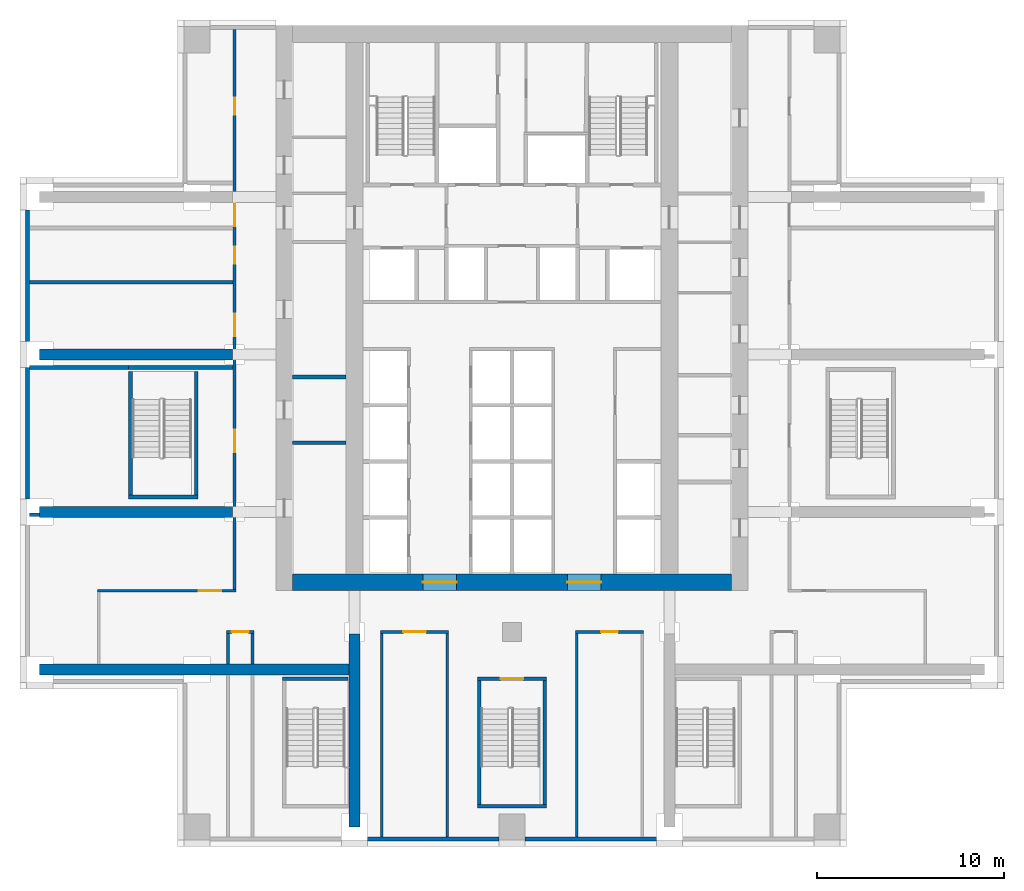
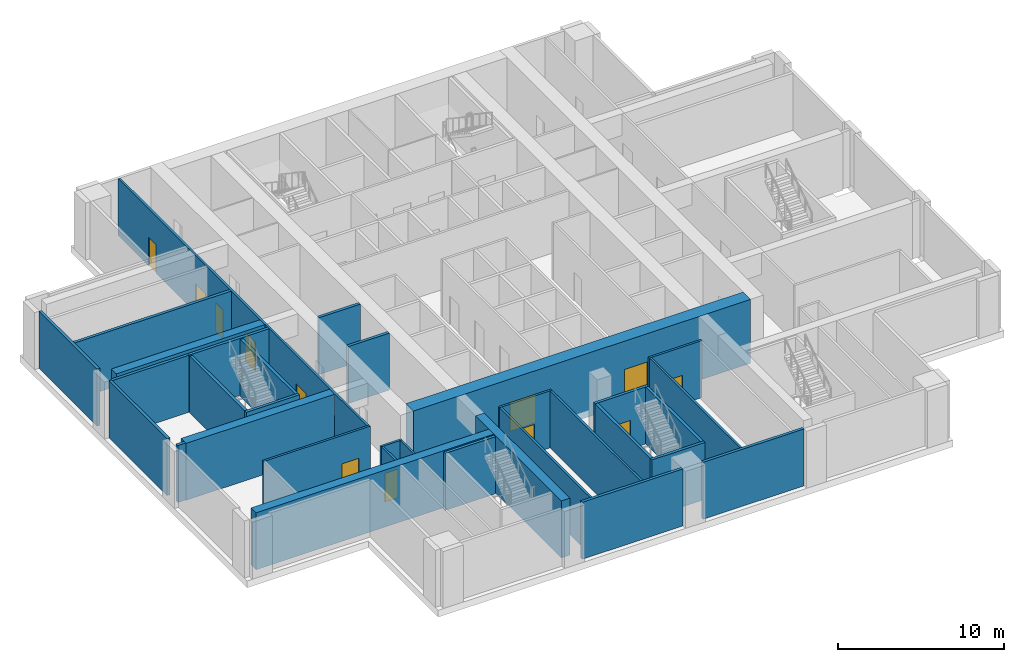
# One storey, part 2 of 11: 33 walls, 12 doors, 12 openings.
"""IFC4 building model written with IfcOpenShell, lengths in metres."""

from ifc_helpers import new_model, si_unit, direction, frame, frame_2d, origin, place, context, subcontext, project, spatial, rectangle, extrude, material, layer, layer_set, type_object, element, fill, save


model = new_model("IFC4")

# Units and contexts
model_context = context("Model", 3, precision=1e-05, world=origin(), true_north=direction((0.0, 1.0)))
body_context = subcontext(model_context, "Body", "Model", "MODEL_VIEW")
ifc_project = project(units=[si_unit("LENGTHUNIT", "METRE"), si_unit("AREAUNIT", "SQUARE_METRE"), si_unit("VOLUMEUNIT", "CUBIC_METRE"), si_unit("PLANEANGLEUNIT", "RADIAN"), si_unit("MASSUNIT", "GRAM", prefix="KILO")], contexts=[model_context])

# Site, building, storey
site_placement = place(None, origin())
site = spatial("IfcSite", under=ifc_project, at=site_placement, CompositionType="ELEMENT")
building_placement = place(site_placement, origin())
building = spatial("IfcBuilding", under=site, at=building_placement, Name="Vermilion Ogive Tower", CompositionType="ELEMENT")
storey_placement = place(building_placement, frame((0.0, 0.0, 75.89990234375)))
storey = spatial("IfcBuildingStorey", under=building, at=storey_placement, Name="L18", CompositionType="ELEMENT", Elevation=75.89990234375)

# Wall, openings, doors
ifc_material_1 = material(Name="Concrete B80", Category="concrete")
ifc_layer_1 = layer(ifc_material_1, 0.89990234375)
ifc_layer_set_1 = layer_set([ifc_layer_1], Name="Core wall 900 B80")
wall_type_1 = type_object("IfcWallType", Name="Core wall 900 B80", PredefinedType="SHEAR", material=ifc_layer_set_1)
wall_1_placement = place(storey_placement, frame((-11.699951171875, -7.949951171875, -0.5), z_axis=(0.0, 0.0, 1.0), x_axis=(1.0, 0.0, 0.0)))
wall_1 = element("IfcWall", 1, at=wall_1_placement, inside=storey, type_object=wall_type_1, Name="L18-CORE-S", PredefinedType="SHEAR", context=body_context, shape_type="SweptSolid", body=[
    extrude(rectangle(XDim=23.39990234375, YDim=0.89990234375, at=frame_2d((11.699951171875, 0.0))), origin(), (0.0, 0.0, 1.0), 4.68017578125),
])
opening_1_placement = place(wall_1_placement, frame((6.949951171875, 0.0, 0.5)))
opening_1 = element("IfcOpeningElement", 2, at=opening_1_placement, cuts=wall_1, Name="Opening DBE001", PredefinedType="OPENING", context=body_context, shape_type="SweptSolid", body=[
    extrude(rectangle(XDim=1.800048828125, YDim=2.10009765625, at=frame_2d((0.89990234375, 1.050048828125))), frame((0.0, 0.4599609375, 0.0), z_axis=(0.0, -1.0, 0.0), x_axis=(1.0, 0.0, 0.0)), (0.0, 0.0, 1.0), 0.919921875),
])
opening_2_placement = place(wall_1_placement, frame((14.64990234375, 0.0, 0.5)))
opening_2 = element("IfcOpeningElement", 3, at=opening_2_placement, cuts=wall_1, Name="Opening DBE002", PredefinedType="OPENING", context=body_context, shape_type="SweptSolid", body=[
    extrude(rectangle(XDim=1.800048828125, YDim=2.10009765625, at=frame_2d((0.89990234375, 1.050048828125))), frame((0.0, 0.4599609375, 0.0), z_axis=(0.0, -1.0, 0.0), x_axis=(1.0, 0.0, 0.0)), (0.0, 0.0, 1.0), 0.919921875),
])
ifc_material_2 = material(Name="Timber door leaf", Category="wood")
door_type_1 = type_object("IfcDoorType", Name="Core entry door 1800 x 2100 FD60S", OperationType="DOUBLE_DOOR_SINGLE_SWING", PredefinedType="DOOR", material=ifc_material_2)
door_1_placement = place(opening_1_placement, origin())
door_1 = element("IfcDoor", 4, at=door_1_placement, inside=storey, type_object=door_type_1, Name="L18-CK-XD1", OperationType="SINGLE_SWING_LEFT", OverallHeight=2.10009765625, OverallWidth=1.800048828125, PredefinedType="DOOR", context=body_context, shape_type="SweptSolid", body=[
    extrude(rectangle(XDim=1.800048828125, YDim=2.10009765625, at=frame_2d((0.89990234375, 1.050048828125))), frame((0.0, 0.02490234375, 0.0), z_axis=(0.0, -1.0, 0.0), x_axis=(1.0, 0.0, 0.0)), (0.0, 0.0, 1.0), 0.050048828125),
])
fill(opening_1, door_1)
door_2_placement = place(opening_2_placement, origin())
door_2 = element("IfcDoor", 5, at=door_2_placement, inside=storey, type_object=door_type_1, Name="L18-CK-XD2", OperationType="SINGLE_SWING_LEFT", OverallHeight=2.10009765625, OverallWidth=1.800048828125, PredefinedType="DOOR", context=body_context, shape_type="SweptSolid", body=[
    extrude(rectangle(XDim=1.800048828125, YDim=2.10009765625, at=frame_2d((0.89990234375, 1.050048828125))), frame((0.0, 0.02490234375, 0.0), z_axis=(0.0, -1.0, 0.0), x_axis=(1.0, 0.0, 0.0)), (0.0, 0.0, 1.0), 0.050048828125),
])
fill(opening_2, door_2)

# Walls
ifc_material_3 = material(Name="Concrete B60", Category="concrete")
ifc_layer_2 = layer(ifc_material_3, 0.60009765625)
ifc_layer_set_2 = layer_set([ifc_layer_2], Name="Outrigger wall 600 B60")
wall_type_2 = type_object("IfcWallType", Name="Outrigger wall 600 B60", PredefinedType="SHEAR", material=ifc_layer_set_2)
wall_2_placement = place(storey_placement, frame((-8.550048828125, -12.60009765625, 0.0), z_axis=(0.0, 0.0, 1.0), x_axis=(-1.0, 0.0, 0.0)))
element("IfcWall", 6, at=wall_2_placement, inside=storey, type_object=wall_type_2, Name="L18-OW-EWW-12.6", PredefinedType="SHEAR", context=body_context, shape_type="SweptSolid", body=[
    extrude(rectangle(XDim=16.64990234375, YDim=0.60009765625, at=frame_2d((8.324951171875, 0.0))), origin(), (0.0, 0.0, 1.0), 4.18017578125),
])
for number, where, z_axis, x_axis, name in (
    (7, (-14.89990234375, -4.199951171875, 0.0), (0.0, 0.0, 1.0), (-1.0, 0.0, 0.0), "L18-OW-EWW-4.2"),
    (8, (-14.89990234375, 4.199951171875, 0.0), (0.0, 0.0, 1.0), (-1.0, 0.0, 0.0), "L18-OW-EWW+4.2"),
):
    element("IfcWall", number, at=place(storey_placement, frame(where, z_axis=z_axis, x_axis=x_axis)), inside=storey, type_object=wall_type_2, Name=name, PredefinedType="SHEAR", context=body_context, shape_type="SweptSolid", body=[
        extrude(rectangle(XDim=10.300048828125, YDim=0.60009765625, at=frame_2d((5.14990234375, 0.0))), origin(), (0.0, 0.0, 1.0), 4.18017578125),
    ])

# Wall, opening, door
ifc_material_4 = material(Name="Gypsum board partition on steel studs", Category="steel")
ifc_layer_3 = layer(ifc_material_4, 0.14990234375)
ifc_layer_set_3 = layer_set([ifc_layer_3], Name="Partition 150 corridor")
wall_type_3 = type_object("IfcWallType", Name="Partition 150 corridor", PredefinedType="PARTITIONING", material=ifc_layer_set_3)
wall_3_placement = place(storey_placement, frame((-15.22509765625, -10.60009765625, 0.0), z_axis=(0.0, 0.0, 1.0), x_axis=(1.0, 0.0, 0.0)))
wall_3 = element("IfcWall", 9, at=wall_3_placement, inside=storey, type_object=wall_type_3, Name="L18-FS-W-W001", PredefinedType="PARTITIONING", context=body_context, shape_type="SweptSolid", body=[
    extrude(rectangle(XDim=1.4501953125, YDim=0.14990234375, at=frame_2d((0.72509765625, 0.0))), origin(), (0.0, 0.0, 1.0), 4.18017578125),
])
opening_3_placement = place(wall_3_placement, frame((0.275146484375, 0.0, 0.0)))
opening_3 = element("IfcOpeningElement", 10, at=opening_3_placement, cuts=wall_3, Name="Opening L18S012", PredefinedType="OPENING", context=body_context, shape_type="SweptSolid", body=[
    extrude(rectangle(XDim=0.89990234375, YDim=2.10009765625, at=frame_2d((0.449951171875, 1.050048828125))), frame((0.0, 0.0849609375, 0.0), z_axis=(0.0, -1.0, 0.0), x_axis=(1.0, 0.0, 0.0)), (0.0, 0.0, 1.0), 0.169921875),
])
ifc_material_5 = material(Name="Timber door leaf", Category="wood")
door_type_2 = type_object("IfcDoorType", Name="Room door 900 x 2100 FD30", OperationType="SINGLE_SWING_LEFT", PredefinedType="DOOR", material=ifc_material_5)
door_3_placement = place(opening_3_placement, origin())
door_3 = element("IfcDoor", 11, at=door_3_placement, inside=storey, type_object=door_type_2, Name="L18-FS-D-D012", OperationType="SINGLE_SWING_RIGHT", OverallHeight=2.10009765625, OverallWidth=0.89990234375, PredefinedType="DOOR", context=body_context, shape_type="SweptSolid", body=[
    extrude(rectangle(XDim=0.89990234375, YDim=2.10009765625, at=frame_2d((0.449951171875, 1.050048828125))), frame((0.0, 0.02490234375, 0.0), z_axis=(0.0, -1.0, 0.0), x_axis=(1.0, 0.0, 0.0)), (0.0, 0.0, 1.0), 0.050048828125),
])
fill(opening_3, door_3)

wall_4_placement = place(storey_placement, frame((-7.02490234375, -10.60009765625, 0.0), z_axis=(0.0, 0.0, 1.0), x_axis=(1.0, 0.0, 0.0)))
wall_4 = element("IfcWall", 12, at=wall_4_placement, inside=storey, type_object=wall_type_3, Name="L18-FS-W-W002", PredefinedType="PARTITIONING", context=body_context, shape_type="SweptSolid", body=[
    extrude(rectangle(XDim=3.64990234375, YDim=0.14990234375, at=frame_2d((1.824951171875, 0.0))), origin(), (0.0, 0.0, 1.0), 4.18017578125),
])
opening_4_placement = place(wall_4_placement, frame((1.224853515625, 0.0, 0.0)))
opening_4 = element("IfcOpeningElement", 13, at=opening_4_placement, cuts=wall_4, Name="Opening L18S010", PredefinedType="OPENING", context=body_context, shape_type="SweptSolid", body=[
    extrude(rectangle(XDim=1.199951171875, YDim=2.10009765625, at=frame_2d((0.60009765625, 1.050048828125))), frame((0.0, 0.0849609375, 0.0), z_axis=(0.0, -1.0, 0.0), x_axis=(1.0, 0.0, 0.0)), (0.0, 0.0, 1.0), 0.169921875),
])
ifc_material_6 = material(Name="Timber door leaf", Category="wood")
door_type_3 = type_object("IfcDoorType", Name="Room door 1200 x 2100 FD30", OperationType="SINGLE_SWING_LEFT", PredefinedType="DOOR", material=ifc_material_6)
door_4_placement = place(opening_4_placement, origin())
door_4 = element("IfcDoor", 14, at=door_4_placement, inside=storey, type_object=door_type_3, Name="L18-FS-D-D010", OperationType="SINGLE_SWING_LEFT", OverallHeight=2.10009765625, OverallWidth=1.199951171875, PredefinedType="DOOR", context=body_context, shape_type="SweptSolid", body=[
    extrude(rectangle(XDim=1.199951171875, YDim=2.10009765625, at=frame_2d((0.60009765625, 1.050048828125))), frame((0.0, 0.02490234375, 0.0), z_axis=(0.0, -1.0, 0.0), x_axis=(1.0, 0.0, 0.0)), (0.0, 0.0, 1.0), 0.050048828125),
])
fill(opening_4, door_4)

wall_5_placement = place(storey_placement, frame((3.375, -10.60009765625, 0.0), z_axis=(0.0, 0.0, 1.0), x_axis=(1.0, 0.0, 0.0)))
wall_5 = element("IfcWall", 15, at=wall_5_placement, inside=storey, type_object=wall_type_3, Name="L18-FS-W-W003", PredefinedType="PARTITIONING", context=body_context, shape_type="SweptSolid", body=[
    extrude(rectangle(XDim=3.64990234375, YDim=0.14990234375, at=frame_2d((1.824951171875, 0.0))), origin(), (0.0, 0.0, 1.0), 4.18017578125),
])
opening_5_placement = place(wall_5_placement, frame((1.375, 0.0, 0.0)))
opening_5 = element("IfcOpeningElement", 16, at=opening_5_placement, cuts=wall_5, Name="Opening L18S013", PredefinedType="OPENING", context=body_context, shape_type="SweptSolid", body=[
    extrude(rectangle(XDim=0.89990234375, YDim=2.10009765625, at=frame_2d((0.449951171875, 1.050048828125))), frame((0.0, 0.0849609375, 0.0), z_axis=(0.0, -1.0, 0.0), x_axis=(1.0, 0.0, 0.0)), (0.0, 0.0, 1.0), 0.169921875),
])
door_5_placement = place(opening_5_placement, origin())
door_5 = element("IfcDoor", 17, at=door_5_placement, inside=storey, type_object=door_type_2, Name="L18-FS-D-D013", OperationType="SINGLE_SWING_RIGHT", OverallHeight=2.10009765625, OverallWidth=0.89990234375, PredefinedType="DOOR", context=body_context, shape_type="SweptSolid", body=[
    extrude(rectangle(XDim=0.89990234375, YDim=2.10009765625, at=frame_2d((0.449951171875, 1.050048828125))), frame((0.0, 0.02490234375, 0.0), z_axis=(0.0, -1.0, 0.0), x_axis=(1.0, 0.0, 0.0)), (0.0, 0.0, 1.0), 0.050048828125),
])
fill(opening_5, door_5)

wall_6_placement = place(storey_placement, frame((-22.125, -8.39990234375, 0.0), z_axis=(0.0, 0.0, 1.0), x_axis=(1.0, 0.0, 0.0)))
wall_6 = element("IfcWall", 18, at=wall_6_placement, inside=storey, type_object=wall_type_3, Name="L18-FS-W-W005", PredefinedType="PARTITIONING", context=body_context, shape_type="SweptSolid", body=[
    extrude(rectangle(XDim=7.39990234375, YDim=0.14990234375, at=frame_2d((3.699951171875, 0.0))), origin(), (0.0, 0.0, 1.0), 4.18017578125),
])
opening_6_placement = place(wall_6_placement, frame((5.425048828125, 0.0, 0.0)))
opening_6 = element("IfcOpeningElement", 19, at=opening_6_placement, cuts=wall_6, Name="Opening L18S001", PredefinedType="OPENING", context=body_context, shape_type="SweptSolid", body=[
    extrude(rectangle(XDim=1.199951171875, YDim=2.10009765625, at=frame_2d((0.60009765625, 1.050048828125))), frame((0.0, 0.0849609375, 0.0), z_axis=(0.0, -1.0, 0.0), x_axis=(1.0, 0.0, 0.0)), (0.0, 0.0, 1.0), 0.169921875),
])
ifc_material_7 = material(Name="Timber door leaf", Category="wood")
door_type_4 = type_object("IfcDoorType", Name="Fire door 1200 x 2100 FD30", OperationType="SINGLE_SWING_LEFT", PredefinedType="DOOR", material=ifc_material_7)
door_6_placement = place(opening_6_placement, origin())
door_6 = element("IfcDoor", 20, at=door_6_placement, inside=storey, type_object=door_type_4, Name="L18-FS-D-D001", OperationType="SINGLE_SWING_LEFT", OverallHeight=2.10009765625, OverallWidth=1.199951171875, PredefinedType="DOOR", context=body_context, shape_type="SweptSolid", body=[
    extrude(rectangle(XDim=1.199951171875, YDim=2.10009765625, at=frame_2d((0.60009765625, 1.050048828125))), frame((0.0, 0.02490234375, 0.0), z_axis=(0.0, -1.0, 0.0), x_axis=(1.0, 0.0, 0.0)), (0.0, 0.0, 1.0), 0.050048828125),
])
fill(opening_6, door_6)

# Wall
wall_7_placement = place(storey_placement, frame((-15.14990234375, -12.299072265625, 0.0), z_axis=(0.0, 0.0, 1.0), x_axis=(0.0, 1.0, 0.0)))
element("IfcWall", 21, at=wall_7_placement, inside=storey, type_object=wall_type_3, Name="L18-FS-W-W017b", PredefinedType="PARTITIONING", context=body_context, shape_type="SweptSolid", body=[
    extrude(rectangle(XDim=1.6240234375, YDim=0.14990234375, at=frame_2d((0.81201171875, 0.0))), origin(), (0.0, 0.0, 1.0), 4.18017578125),
])

# Wall, openings, doors
wall_8_placement = place(storey_placement, frame((-14.800048828125, -8.324951171875, 0.0), z_axis=(0.0, 0.0, 1.0), x_axis=(0.0, 1.0, 0.0)))
wall_8 = element("IfcWall", 22, at=wall_8_placement, inside=storey, type_object=wall_type_3, Name="L18-FS-W-W018", PredefinedType="PARTITIONING", context=body_context, shape_type="SweptSolid", body=[
    extrude(rectangle(XDim=29.875, YDim=0.14990234375, at=frame_2d((14.9375, 0.0))), origin(), (0.0, 0.0, 1.0), 4.18017578125),
])
opening_7_placement = place(wall_8_placement, frame((7.303466796875, 0.0, 0.0)))
opening_7 = element("IfcOpeningElement", 23, at=opening_7_placement, cuts=wall_8, Name="Opening L18S003", PredefinedType="OPENING", context=body_context, shape_type="SweptSolid", body=[
    extrude(rectangle(XDim=1.199951171875, YDim=2.10009765625, at=frame_2d((0.60009765625, 1.050048828125))), frame((0.0, 0.0849609375, 0.0), z_axis=(0.0, -1.0, 0.0), x_axis=(1.0, 0.0, 0.0)), (0.0, 0.0, 1.0), 0.169921875),
])
opening_8_placement = place(wall_8_placement, frame((13.505859375, 0.0, 0.0)))
opening_8 = element("IfcOpeningElement", 24, at=opening_8_placement, cuts=wall_8, Name="Opening L18S004", PredefinedType="OPENING", context=body_context, shape_type="SweptSolid", body=[
    extrude(rectangle(XDim=1.199951171875, YDim=2.10009765625, at=frame_2d((0.60009765625, 1.050048828125))), frame((0.0, 0.0849609375, 0.0), z_axis=(0.0, -1.0, 0.0), x_axis=(1.0, 0.0, 0.0)), (0.0, 0.0, 1.0), 0.169921875),
])
opening_9_placement = place(wall_8_placement, frame((17.37744140625, 0.0, 0.0)))
opening_9 = element("IfcOpeningElement", 25, at=opening_9_placement, cuts=wall_8, Name="Opening L18S005", PredefinedType="OPENING", context=body_context, shape_type="SweptSolid", body=[
    extrude(rectangle(XDim=0.89990234375, YDim=2.10009765625, at=frame_2d((0.449951171875, 1.050048828125))), frame((0.0, 0.0849609375, 0.0), z_axis=(0.0, -1.0, 0.0), x_axis=(1.0, 0.0, 0.0)), (0.0, 0.0, 1.0), 0.169921875),
])
opening_10_placement = place(wall_8_placement, frame((19.375, 0.0, 0.0)))
opening_10 = element("IfcOpeningElement", 26, at=opening_10_placement, cuts=wall_8, Name="Opening L18S006", PredefinedType="OPENING", context=body_context, shape_type="SweptSolid", body=[
    extrude(rectangle(XDim=1.199951171875, YDim=2.10009765625, at=frame_2d((0.60009765625, 1.050048828125))), frame((0.0, 0.0849609375, 0.0), z_axis=(0.0, -1.0, 0.0), x_axis=(1.0, 0.0, 0.0)), (0.0, 0.0, 1.0), 0.169921875),
])
opening_11_placement = place(wall_8_placement, frame((25.324951171875, 0.0, 0.0)))
opening_11 = element("IfcOpeningElement", 27, at=opening_11_placement, cuts=wall_8, Name="Opening L18S011", PredefinedType="OPENING", context=body_context, shape_type="SweptSolid", body=[
    extrude(rectangle(XDim=0.89990234375, YDim=2.10009765625, at=frame_2d((0.449951171875, 1.050048828125))), frame((0.0, 0.0849609375, 0.0), z_axis=(0.0, -1.0, 0.0), x_axis=(1.0, 0.0, 0.0)), (0.0, 0.0, 1.0), 0.169921875),
])
door_7_placement = place(opening_7_placement, origin())
door_7 = element("IfcDoor", 28, at=door_7_placement, inside=storey, type_object=door_type_3, Name="L18-FS-D-D003", OperationType="SINGLE_SWING_RIGHT", OverallHeight=2.10009765625, OverallWidth=1.199951171875, PredefinedType="DOOR", context=body_context, shape_type="SweptSolid", body=[
    extrude(rectangle(XDim=1.199951171875, YDim=2.10009765625, at=frame_2d((0.60009765625, 1.050048828125))), frame((0.0, 0.02490234375, 0.0), z_axis=(0.0, -1.0, 0.0), x_axis=(1.0, 0.0, 0.0)), (0.0, 0.0, 1.0), 0.050048828125),
])
fill(opening_7, door_7)
door_8_placement = place(opening_8_placement, origin())
door_8 = element("IfcDoor", 29, at=door_8_placement, inside=storey, type_object=door_type_3, Name="L18-FS-D-D004", OperationType="SINGLE_SWING_LEFT", OverallHeight=2.10009765625, OverallWidth=1.199951171875, PredefinedType="DOOR", context=body_context, shape_type="SweptSolid", body=[
    extrude(rectangle(XDim=1.199951171875, YDim=2.10009765625, at=frame_2d((0.60009765625, 1.050048828125))), frame((0.0, 0.02490234375, 0.0), z_axis=(0.0, -1.0, 0.0), x_axis=(1.0, 0.0, 0.0)), (0.0, 0.0, 1.0), 0.050048828125),
])
fill(opening_8, door_8)
door_9_placement = place(opening_10_placement, origin())
door_9 = element("IfcDoor", 30, at=door_9_placement, inside=storey, type_object=door_type_3, Name="L18-FS-D-D006", OperationType="SINGLE_SWING_LEFT", OverallHeight=2.10009765625, OverallWidth=1.199951171875, PredefinedType="DOOR", context=body_context, shape_type="SweptSolid", body=[
    extrude(rectangle(XDim=1.199951171875, YDim=2.10009765625, at=frame_2d((0.60009765625, 1.050048828125))), frame((0.0, 0.02490234375, 0.0), z_axis=(0.0, -1.0, 0.0), x_axis=(1.0, 0.0, 0.0)), (0.0, 0.0, 1.0), 0.050048828125),
])
fill(opening_10, door_9)
door_10_placement = place(opening_9_placement, origin())
door_10 = element("IfcDoor", 31, at=door_10_placement, inside=storey, type_object=door_type_2, Name="L18-FS-D-D005", OperationType="SINGLE_SWING_RIGHT", OverallHeight=2.10009765625, OverallWidth=0.89990234375, PredefinedType="DOOR", context=body_context, shape_type="SweptSolid", body=[
    extrude(rectangle(XDim=0.89990234375, YDim=2.10009765625, at=frame_2d((0.449951171875, 1.050048828125))), frame((0.0, 0.02490234375, 0.0), z_axis=(0.0, -1.0, 0.0), x_axis=(1.0, 0.0, 0.0)), (0.0, 0.0, 1.0), 0.050048828125),
])
fill(opening_9, door_10)
door_11_placement = place(opening_11_placement, origin())
door_11 = element("IfcDoor", 32, at=door_11_placement, inside=storey, type_object=door_type_2, Name="L18-FS-D-D011", OperationType="SINGLE_SWING_LEFT", OverallHeight=2.10009765625, OverallWidth=0.89990234375, PredefinedType="DOOR", context=body_context, shape_type="SweptSolid", body=[
    extrude(rectangle(XDim=0.89990234375, YDim=2.10009765625, at=frame_2d((0.449951171875, 1.050048828125))), frame((0.0, 0.02490234375, 0.0), z_axis=(0.0, -1.0, 0.0), x_axis=(1.0, 0.0, 0.0)), (0.0, 0.0, 1.0), 0.050048828125),
])
fill(opening_11, door_11)

# Walls
wall_9_placement = place(storey_placement, frame((-13.85009765625, -12.299072265625, 0.0), z_axis=(0.0, 0.0, 1.0), x_axis=(0.0, 1.0, 0.0)))
element("IfcWall", 33, at=wall_9_placement, inside=storey, type_object=wall_type_3, Name="L18-FS-W-W019b", PredefinedType="PARTITIONING", context=body_context, shape_type="SweptSolid", body=[
    extrude(rectangle(XDim=1.6240234375, YDim=0.14990234375, at=frame_2d((0.81201171875, 0.0))), origin(), (0.0, 0.0, 1.0), 4.18017578125),
])
for number, where, z_axis, x_axis, name in (
    (34, (-6.949951171875, -21.550048828125, 0.0), (0.0, 0.0, 1.0), (0.0, 1.0, 0.0), "L18-FS-W-W020"),
    (35, (-3.449951171875, -21.550048828125, 0.0), (0.0, 0.0, 1.0), (0.0, 1.0, 0.0), "L18-FS-W-W021"),
    (36, (3.449951171875, -21.550048828125, 0.0), (0.0, 0.0, 1.0), (0.0, 1.0, 0.0), "L18-FS-W-W022"),
):
    element("IfcWall", number, at=place(storey_placement, frame(where, z_axis=z_axis, x_axis=x_axis)), inside=storey, type_object=wall_type_3, Name=name, PredefinedType="PARTITIONING", context=body_context, shape_type="SweptSolid", body=[
        extrude(rectangle(XDim=10.875, YDim=0.14990234375, at=frame_2d((5.4375, 0.0))), origin(), (0.0, 0.0, 1.0), 4.18017578125),
    ])
ifc_material_8 = material(Name="Gypsum board partition on steel studs", Category="steel")
ifc_layer_4 = layer(ifc_material_8, 0.199951171875)
ifc_layer_set_4 = layer_set([ifc_layer_4], Name="Partition 200 party")
wall_type_4 = type_object("IfcWallType", Name="Partition 200 party", PredefinedType="PARTITIONING", material=ifc_layer_set_4)
wall_10_placement = place(storey_placement, frame((-25.75, -4.35009765625, 0.0), z_axis=(0.0, 0.0, 1.0), x_axis=(1.0, 0.0, 0.0)))
element("IfcWall", 37, at=wall_10_placement, inside=storey, type_object=wall_type_4, Name="L18-FS-W-W007", PredefinedType="PARTITIONING", context=body_context, shape_type="SweptSolid", body=[
    extrude(rectangle(XDim=0.549072265625, YDim=0.199951171875, at=frame_2d((0.2744140625, 0.0))), origin(), (0.0, 0.0, 1.0), 4.18017578125),
])
wall_11_placement = place(storey_placement, frame((-25.75, 8.054931640625, 0.0), z_axis=(0.0, 0.0, 1.0), x_axis=(1.0, 0.0, 0.0)))
element("IfcWall", 38, at=wall_11_placement, inside=storey, type_object=wall_type_4, Name="L18-FS-W-W011", PredefinedType="PARTITIONING", context=body_context, shape_type="SweptSolid", body=[
    extrude(rectangle(XDim=10.875, YDim=0.199951171875, at=frame_2d((5.4375, 0.0))), origin(), (0.0, 0.0, 1.0), 4.18017578125),
])
for number, where, z_axis, x_axis, name in (
    (39, (-11.698974609375, -0.5, 0.0), (0.0, 0.0, 1.0), (1.0, 0.0, 0.0), "L18-CKW-W-W001"),
    (40, (-11.698974609375, 3.0, 0.0), (0.0, 0.0, 1.0), (1.0, 0.0, 0.0), "L18-CKW-W-W002"),
):
    element("IfcWall", number, at=place(storey_placement, frame(where, z_axis=z_axis, x_axis=x_axis)), inside=storey, type_object=wall_type_4, Name=name, PredefinedType="PARTITIONING", context=body_context, shape_type="SweptSolid", body=[
        extrude(rectangle(XDim=2.847900390625, YDim=0.199951171875, at=frame_2d((1.423828125, 0.0))), origin(), (0.0, 0.0, 1.0), 4.18017578125),
    ])
wall_12_placement = place(storey_placement, frame((-25.75, 3.507080078125, 0.0), z_axis=(0.0, 0.0, 1.0), x_axis=(1.0, 0.0, 0.0)))
element("IfcWall", 41, at=wall_12_placement, inside=storey, type_object=wall_type_4, Name="L18-FS-W-W009-A", PredefinedType="PARTITIONING", context=body_context, shape_type="SweptSolid", body=[
    extrude(rectangle(XDim=5.300048828125, YDim=0.199951171875, at=frame_2d((2.64990234375, 0.0))), origin(), (0.0, 0.0, 1.0), 4.18017578125),
])
ifc_material_9 = material(Name="Aluminium louvre panels", Category="aluminium")
ifc_layer_5 = layer(ifc_material_9, 0.199951171875)
ifc_layer_set_5 = layer_set([ifc_layer_5], Name="Plant louvre wall")
wall_type_5 = type_object("IfcWallType", Name="Plant louvre wall", PredefinedType="STANDARD", material=ifc_layer_set_5)
for number, where, z_axis, x_axis, name in (
    (42, (-7.699951171875, -21.64990234375, 0.0), (0.0, 0.0, 1.0), (1.0, 0.0, 0.0), "Window wall S2"),
    (43, (0.699951171875, -21.64990234375, 0.0), (0.0, 0.0, 1.0), (1.0, 0.0, 0.0), "Window wall S3"),
    (44, (-25.85009765625, 11.89990234375, 0.0), (0.0, 0.0, 1.0), (0.0, -1.0, 0.0), "Window wall W1"),
    (45, (-25.85009765625, 3.5, 0.0), (0.0, 0.0, 1.0), (0.0, -1.0, 0.0), "Window wall W2"),
):
    element("IfcWall", number, at=place(storey_placement, frame(where, z_axis=z_axis, x_axis=x_axis)), inside=storey, type_object=wall_type_5, Name=name, PredefinedType="STANDARD", context=body_context, shape_type="SweptSolid", body=[
        extrude(rectangle(XDim=7.0, YDim=0.199951171875, at=frame_2d((3.5, 0.0))), origin(), (0.0, 0.0, 1.0), 4.18017578125),
    ])
ifc_material_10 = material(Name="Concrete B60", Category="concrete")
ifc_layer_6 = layer(ifc_material_10, 0.199951171875)
ifc_layer_set_6 = layer_set([ifc_layer_6], Name="Stair shaft wall 200 Concrete B60")
wall_type_6 = type_object("IfcWallType", Name="Stair shaft wall 200 Concrete B60", PredefinedType="SOLIDWALL", material=ifc_layer_set_6)
wall_13_placement = place(storey_placement, frame((-8.39990234375, -21.0, 0.0), z_axis=(0.0, 0.0, 1.0), x_axis=(0.0, 1.0, 0.0)))
element("IfcWall", 46, at=wall_13_placement, inside=storey, type_object=wall_type_6, Name="L18-OW-NS-8.4", PredefinedType="SOLIDWALL", context=body_context, shape_type="SweptSolid", body=[
    extrude(rectangle(XDim=10.300048828125, YDim=0.60009765625, at=frame_2d((5.14990234375, 0.0))), origin(), (0.0, 0.0, 1.0), 4.18017578125),
])
wall_14_placement = place(storey_placement, frame((-20.449951171875, 3.507080078125, 0.0), z_axis=(0.0, 0.0, 1.0), x_axis=(1.0, 0.0, 0.0)))
element("IfcWall", 47, at=wall_14_placement, inside=storey, type_object=wall_type_6, Name="L18-FS-W-W009", PredefinedType="SOLIDWALL", context=body_context, shape_type="SweptSolid", body=[
    extrude(rectangle(XDim=5.574951171875, YDim=0.199951171875, at=frame_2d((2.78759765625, 0.0))), origin(), (0.0, 0.0, 1.0), 4.18017578125),
])
wall_15_placement = place(storey_placement, frame((-12.25, -13.10009765625, 0.0), z_axis=(0.0, 0.0, 1.0), x_axis=(1.0, 0.0, 0.0)))
element("IfcWall", 48, at=wall_15_placement, inside=storey, type_object=wall_type_6, Name="L18-SW-ST3-N1", PredefinedType="SOLIDWALL", context=body_context, shape_type="SweptSolid", body=[
    extrude(rectangle(XDim=3.5, YDim=0.199951171875, at=frame_2d((1.75, 0.0))), origin(), (0.0, 0.0, 1.0), 4.18017578125),
])
wall_16_placement = place(storey_placement, frame((-1.85009765625, -19.89990234375, 0.0), z_axis=(0.0, 0.0, 1.0), x_axis=(1.0, 0.0, 0.0)))
element("IfcWall", 49, at=wall_16_placement, inside=storey, type_object=wall_type_6, Name="L18-SW-ST4-S1", PredefinedType="SOLIDWALL", context=body_context, shape_type="SweptSolid", body=[
    extrude(rectangle(XDim=3.7001953125, YDim=0.199951171875, at=frame_2d((1.85009765625, 0.0))), origin(), (0.0, 0.0, 1.0), 4.18017578125),
])

# Wall, opening, door
wall_17_placement = place(storey_placement, frame((-1.85009765625, -13.10009765625, 0.0), z_axis=(0.0, 0.0, 1.0), x_axis=(1.0, 0.0, 0.0)))
wall_17 = element("IfcWall", 50, at=wall_17_placement, inside=storey, type_object=wall_type_6, Name="L18-SW-ST4-N1", PredefinedType="SOLIDWALL", context=body_context, shape_type="SweptSolid", body=[
    extrude(rectangle(XDim=3.7001953125, YDim=0.199951171875, at=frame_2d((1.85009765625, 0.0))), origin(), (0.0, 0.0, 1.0), 4.18017578125),
])
opening_12_placement = place(wall_17_placement, frame((1.25, 0.0, 0.0)))
opening_12 = element("IfcOpeningElement", 51, at=opening_12_placement, cuts=wall_17, Name="Opening L18-SD4", PredefinedType="OPENING", context=body_context, shape_type="SweptSolid", body=[
    extrude(rectangle(XDim=1.199951171875, YDim=2.10009765625, at=frame_2d((0.60009765625, 1.050048828125))), frame((0.0, 0.10986328125, 0.0), z_axis=(0.0, -1.0, 0.0), x_axis=(1.0, 0.0, 0.0)), (0.0, 0.0, 1.0), 0.219970703125),
])
ifc_material_11 = material(Name="Timber door leaf", Category="wood")
door_type_5 = type_object("IfcDoorType", Name="Stair door 1200 x 2100 FD60S", OperationType="SINGLE_SWING_LEFT", PredefinedType="DOOR", material=ifc_material_11)
door_12_placement = place(opening_12_placement, origin())
door_12 = element("IfcDoor", 52, at=door_12_placement, inside=storey, type_object=door_type_5, Name="Stair door ST4", OperationType="SINGLE_SWING_LEFT", OverallHeight=2.10009765625, OverallWidth=1.199951171875, PredefinedType="DOOR", context=body_context, shape_type="SweptSolid", body=[
    extrude(rectangle(XDim=1.199951171875, YDim=2.10009765625, at=frame_2d((0.60009765625, 1.050048828125))), frame((0.0, 0.02490234375, 0.0), z_axis=(0.0, -1.0, 0.0), x_axis=(1.0, 0.0, 0.0)), (0.0, 0.0, 1.0), 0.050048828125),
])
fill(opening_12, door_12)

# Walls
for number, where, z_axis, x_axis, name in (
    (53, (-1.75, -19.800048828125, 0.0), (0.0, 0.0, 1.0), (0.0, 1.0, 0.0), "L18-SW-ST4-W1"),
    (54, (1.75, -19.800048828125, 0.0), (0.0, 0.0, 1.0), (0.0, 1.0, 0.0), "L18-SW-ST4-E1"),
):
    element("IfcWall", number, at=place(storey_placement, frame(where, z_axis=z_axis, x_axis=x_axis)), inside=storey, type_object=wall_type_6, Name=name, PredefinedType="SOLIDWALL", context=body_context, shape_type="SweptSolid", body=[
        extrude(rectangle(XDim=6.60009765625, YDim=0.199951171875, at=frame_2d((3.300048828125, 0.0))), origin(), (0.0, 0.0, 1.0), 4.18017578125),
    ])
wall_18_placement = place(storey_placement, frame((-20.449951171875, -3.39990234375, 0.0), z_axis=(0.0, 0.0, 1.0), x_axis=(1.0, 0.0, 0.0)))
element("IfcWall", 55, at=wall_18_placement, inside=storey, type_object=wall_type_6, Name="L18-SW-ST9-S1", PredefinedType="SOLIDWALL", context=body_context, shape_type="SweptSolid", body=[
    extrude(rectangle(XDim=3.699951171875, YDim=0.199951171875, at=frame_2d((1.85009765625, 0.0))), origin(), (0.0, 0.0, 1.0), 4.18017578125),
])
for number, where, z_axis, x_axis, name in (
    (56, (-20.35009765625, -3.300048828125, 0.0), (0.0, 0.0, 1.0), (0.0, 1.0, 0.0), "L18-SW-ST9-W1"),
    (57, (-16.85009765625, -3.300048828125, 0.0), (0.0, 0.0, 1.0), (0.0, 1.0, 0.0), "L18-SW-ST9-E1"),
):
    element("IfcWall", number, at=place(storey_placement, frame(where, z_axis=z_axis, x_axis=x_axis)), inside=storey, type_object=wall_type_6, Name=name, PredefinedType="SOLIDWALL", context=body_context, shape_type="SweptSolid", body=[
        extrude(rectangle(XDim=6.60009765625, YDim=0.199951171875, at=frame_2d((3.300048828125, 0.0))), origin(), (0.0, 0.0, 1.0), 4.18017578125),
    ])

save(model, "model.ifc")
